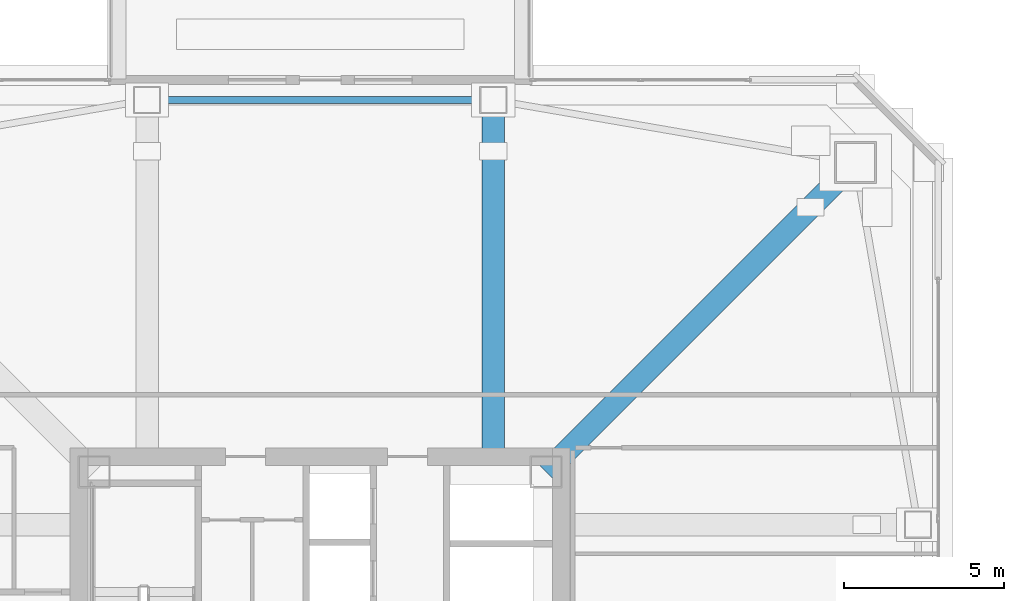
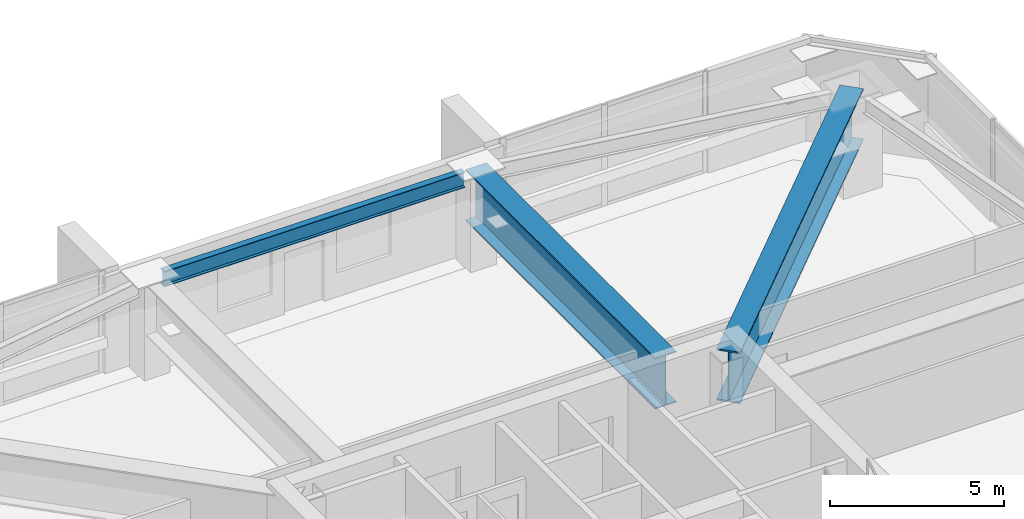
# One storey, part 13 of 42: 3 beams.
"""IFC4 building model written with IfcOpenShell, lengths in metres."""

from ifc_helpers import new_model, si_unit, direction, frame, origin, origin_2d, place, context, subcontext, project, spatial, i_section, extrude, material, material_profile, profile_set, type_object, element, save


model = new_model("IFC4")

# Units and contexts
model_context = context("Model", 3, precision=1e-05, world=origin(), true_north=direction((0.0, 1.0)))
body_context = subcontext(model_context, "Body", "Model", "MODEL_VIEW")
ifc_project = project(units=[si_unit("LENGTHUNIT", "METRE"), si_unit("AREAUNIT", "SQUARE_METRE"), si_unit("VOLUMEUNIT", "CUBIC_METRE"), si_unit("PLANEANGLEUNIT", "RADIAN"), si_unit("MASSUNIT", "GRAM", prefix="KILO")], contexts=[model_context])

# Site, building, storey
site_placement = place(None, origin())
site = spatial("IfcSite", under=ifc_project, at=site_placement, CompositionType="ELEMENT")
building_placement = place(site_placement, origin())
building = spatial("IfcBuilding", under=site, at=building_placement, Name="Tashvorn Skyway Center", CompositionType="ELEMENT")
storey_placement = place(building_placement, frame((0.0, 0.0, 153.449951171875)))
storey = spatial("IfcBuildingStorey", under=building, at=storey_placement, Name="L41", CompositionType="ELEMENT", Elevation=153.449951171875)

# Beams
ifc_material_1 = material(Name="Steel ASTM A572 Grade 50", Category="steel")
ifc_material_profile_1 = material_profile(ifc_material_1, i_section(OverallWidth=0.699951171875, OverallDepth=1.800048828125, WebThickness=0.031982421875, FlangeThickness=0.050048828125, at=origin_2d()), Name="PG1800x700")
ifc_profile_set_1 = profile_set([ifc_material_profile_1], Name="Steel ASTM A572 Grade 50")
beam_type_1 = type_object("IfcBeamType", Name="BM-BEAM-PG1800x700", PredefinedType="BEAM", material=ifc_profile_set_1)
beam_1_placement = place(storey_placement, frame((58.699951171875, 48.699951171875, 2.469970703125), z_axis=(-0.707106781187, -0.707106781187, 0.0), x_axis=(0.707106781187, -0.707106781187, 0.0)))
element("IfcBeam", 1, at=beam_1_placement, inside=storey, type_object=beam_type_1, Name="Tower 1 L41 Setback Transfer Girder MC-NE", PredefinedType="BEAM", context=body_context, shape_type="SweptSolid", body=[
    extrude(i_section(OverallWidth=0.699951171875, OverallDepth=1.800048828125, WebThickness=0.031982421875, FlangeThickness=0.050048828125, at=origin_2d()), origin(), (0.0, 0.0, 1.0), 13.64697265625),
])
beam_2_placement = place(storey_placement, frame((47.39990234375, 50.64990234375, 2.469970703125), z_axis=(0.0, -1.0, 0.0), x_axis=(1.0, 0.0, 0.0)))
element("IfcBeam", 2, at=beam_2_placement, inside=storey, type_object=beam_type_1, Name="Tower 1 L41 Setback Transfer Girder FC-N1", PredefinedType="BEAM", context=body_context, shape_type="SweptSolid", body=[
    extrude(i_section(OverallWidth=0.699951171875, OverallDepth=1.800048828125, WebThickness=0.031982421875, FlangeThickness=0.050048828125, at=origin_2d()), origin(), (0.0, 0.0, 1.0), 10.869873046875),
])
ifc_material_2 = material(Name="Steel ASTM A992 Grade 50", Category="steel")
ifc_material_profile_2 = material_profile(ifc_material_2, i_section(OverallWidth=0.2109375, OverallDepth=0.5390625, WebThickness=0.01171875, FlangeThickness=0.018798828125, at=origin_2d()), Name="W21X73")
ifc_profile_set_2 = profile_set([ifc_material_profile_2], Name="Steel ASTM A992 Grade 50")
beam_type_2 = type_object("IfcBeamType", Name="BM-SPANDREL-W21X73", PredefinedType="SPANDREL", material=ifc_profile_set_2)
beam_3_placement = place(storey_placement, frame((46.97998046875, 50.64990234375, 3.1005859375), z_axis=(-1.0, 0.0, 0.0), x_axis=(0.0, -1.0, 0.0)))
element("IfcBeam", 3, at=beam_3_placement, inside=storey, type_object=beam_type_2, Name="Tower 1 L41 Spandrel Beam 08", PredefinedType="SPANDREL", context=body_context, shape_type="SweptSolid", body=[
    extrude(i_section(OverallWidth=0.2109375, OverallDepth=0.5390625, WebThickness=0.01171875, FlangeThickness=0.018798828125, at=origin_2d()), origin(), (0.0, 0.0, 1.0), 9.9599609375),
])

save(model, "model.ifc")
